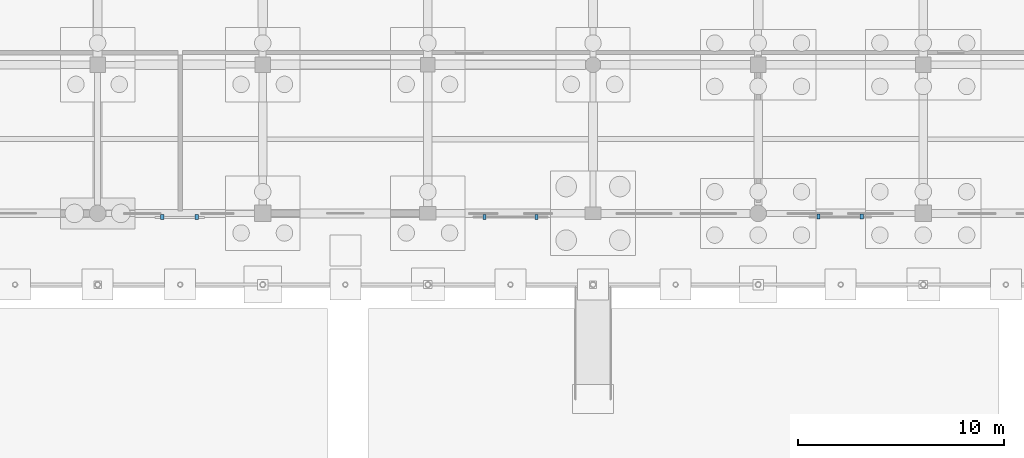
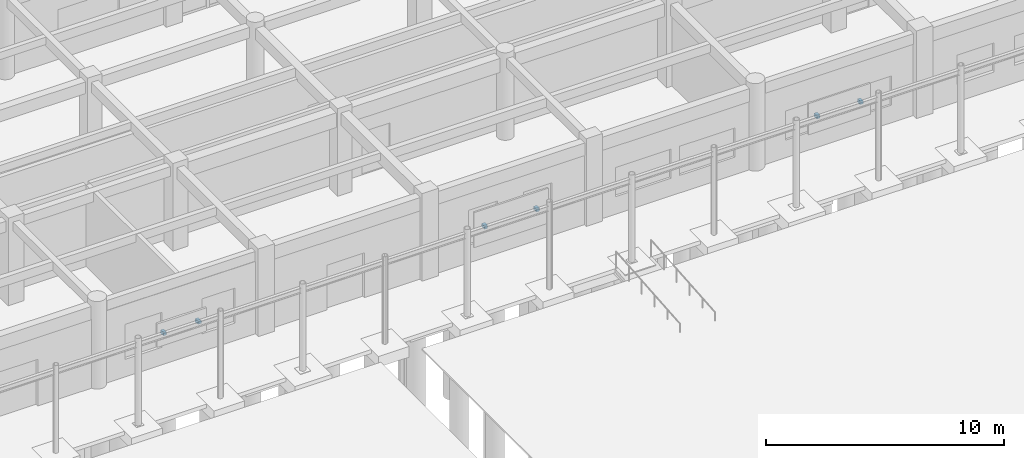
# One storey, part 147 of 166: 6 discrete accessories.
"""IFC4 building model written with IfcOpenShell, lengths in metres."""

from ifc_helpers import new_model, si_unit, direction, frame, origin, origin_2d, place, context, subcontext, project, spatial, rectangle, extrude, material, type_object, element, save


model = new_model("IFC4")

# Units and contexts
model_context = context("Model", 3, precision=1e-05, world=origin(), true_north=direction((0.0, 1.0)))
body_context = subcontext(model_context, "Body", "Model", "MODEL_VIEW")
ifc_project = project(units=[si_unit("LENGTHUNIT", "METRE"), si_unit("AREAUNIT", "SQUARE_METRE"), si_unit("VOLUMEUNIT", "CUBIC_METRE"), si_unit("PLANEANGLEUNIT", "RADIAN"), si_unit("MASSUNIT", "GRAM", prefix="KILO")], contexts=[model_context])

# Site, building, storey
site_placement = place(None, origin())
site = spatial("IfcSite", under=ifc_project, at=site_placement, CompositionType="ELEMENT")
building_placement = place(site_placement, origin())
building = spatial("IfcBuilding", under=site, at=building_placement, Name="Kharva Crest Polytechnic", CompositionType="ELEMENT")
storey_placement = place(building_placement, origin())
storey = spatial("IfcBuildingStorey", under=building, at=storey_placement, Name="L00", CompositionType="ELEMENT", Elevation=0.0)

# Discrete accessories
ifc_material = material(Name="Anodised aluminium", Category="aluminium")
discrete_accessory_type = type_object("IfcDiscreteAccessoryType", Name="ACC-BRK-JAALI", PredefinedType="BRACKET", material=ifc_material)
for number, where, z_axis, x_axis, name in (
    (1, (75.130615234375, 100.219970703125, 1.56982421875), (0.0, 0.0, 1.0), (1.0, 0.0, 0.0), "L00 Jaali Screen Bracket 17.1"),
    (2, (76.810546875, 100.219970703125, 1.56982421875), (0.0, 0.0, 1.0), (1.0, 0.0, 0.0), "L00 Jaali Screen Bracket 17.2"),
    (3, (90.7451171875, 100.235107421875, 1.56982421875), (0.0, 0.0, 1.0), (1.0, 0.0, 0.0), "L00 Jaali Screen Bracket 18.1"),
    (4, (93.264892578125, 100.235107421875, 1.56982421875), (0.0, 0.0, 1.0), (1.0, 0.0, 0.0), "L00 Jaali Screen Bracket 18.2"),
    (5, (106.92041015625, 100.25, 1.56982421875), (0.0, 0.0, 1.0), (1.0, 0.0, 0.0), "L00 Jaali Screen Bracket 19.1"),
    (6, (109.0205078125, 100.25, 1.56982421875), (0.0, 0.0, 1.0), (1.0, 0.0, 0.0), "L00 Jaali Screen Bracket 19.2"),
):
    element("IfcDiscreteAccessory", number, at=place(storey_placement, frame(where, z_axis=z_axis, x_axis=x_axis)), inside=storey, type_object=discrete_accessory_type, Name=name, PredefinedType="BRACKET", context=body_context, shape_type="SweptSolid", body=[
        extrude(rectangle(XDim=0.159912109375, YDim=0.239990234375, at=origin_2d()), origin(), (0.0, 0.0, 1.0), 0.159912109375),
    ])

save(model, "model.ifc")
